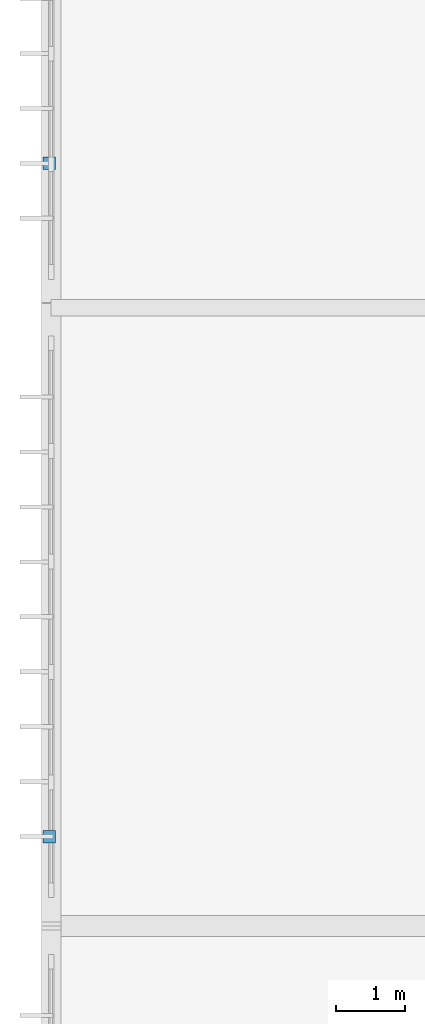
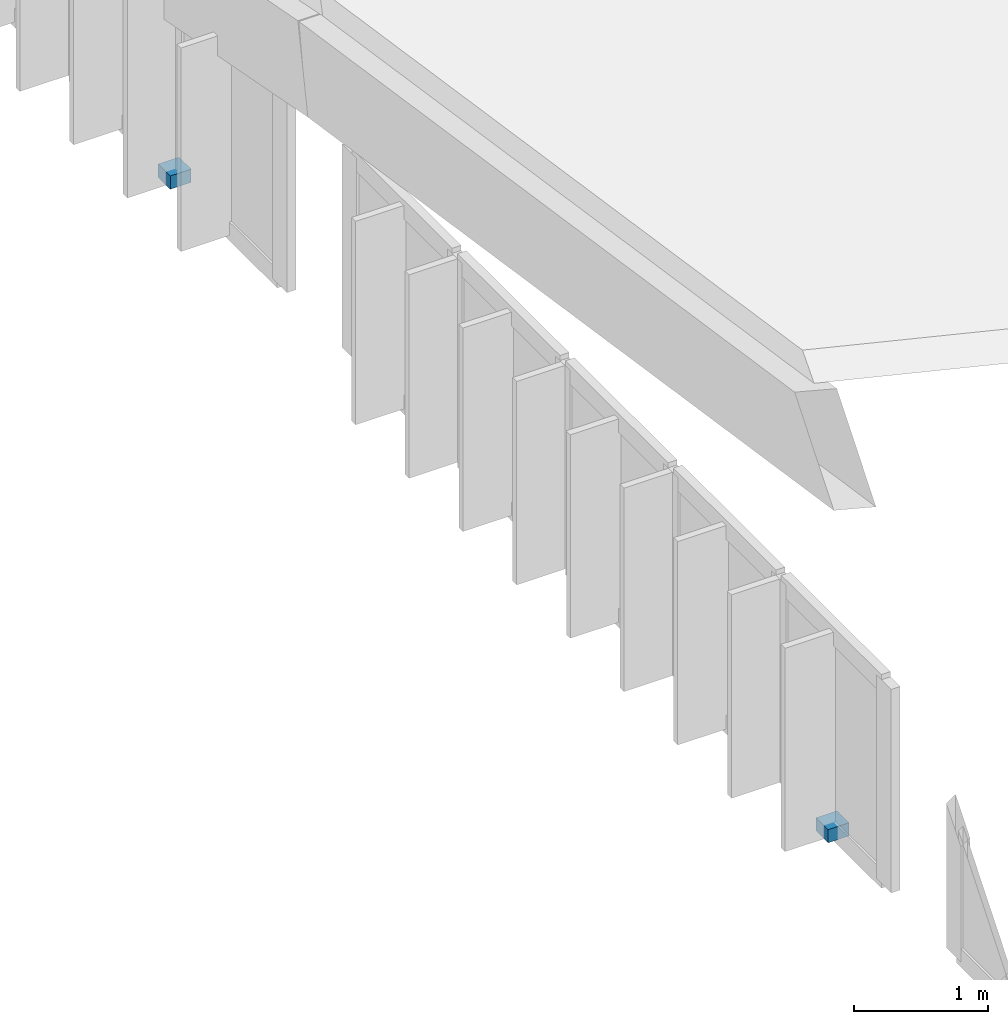
# One storey, part 79 of 93: 2 discrete accessories.
"""IFC4 building model written with IfcOpenShell, lengths in metres."""

from ifc_helpers import new_model, si_unit, direction, frame, origin, origin_2d, place, context, subcontext, project, spatial, rectangle, extrude, material, type_object, element, save


model = new_model("IFC4")

# Units and contexts
model_context = context("Model", 3, precision=1e-05, world=origin(), true_north=direction((0.0, 1.0)))
body_context = subcontext(model_context, "Body", "Model", "MODEL_VIEW")
ifc_project = project(units=[si_unit("LENGTHUNIT", "METRE"), si_unit("AREAUNIT", "SQUARE_METRE"), si_unit("VOLUMEUNIT", "CUBIC_METRE"), si_unit("PLANEANGLEUNIT", "RADIAN"), si_unit("MASSUNIT", "GRAM", prefix="KILO")], contexts=[model_context])

# Site, building, storey
site_placement = place(None, origin())
site = spatial("IfcSite", under=ifc_project, at=site_placement, CompositionType="ELEMENT")
building_placement = place(site_placement, origin())
building = spatial("IfcBuilding", under=site, at=building_placement, Name="Vourika Railside Aquatics Centre", CompositionType="ELEMENT")
storey_placement = place(building_placement, frame((0.0, 0.0, 21.89990234375)))
storey = spatial("IfcBuildingStorey", under=building, at=storey_placement, Name="Roof", CompositionType="ELEMENT", Elevation=21.89990234375)

# Discrete accessories
ifc_material = material(Name="Duplex stainless steel EN 1.4462", Category="steel")
discrete_accessory_type = type_object("IfcDiscreteAccessoryType", Name="ACC-BRK-180", PredefinedType="BRACKET", material=ifc_material)
for number, where, z_axis, x_axis, name in (
    (1, (-0.030029296875, 41.300048828125, -6.300048828125), (0.0, 0.0, 1.0), (-1.0, 0.0, 0.0), "Stainless Fin Shoe Bracket BK-031"),
    (2, (-0.030029296875, 51.10009765625, -6.300048828125), (0.0, 0.0, 1.0), (-1.0, 0.0, 0.0), "Stainless Fin Shoe Bracket BK-032"),
):
    element("IfcDiscreteAccessory", number, at=place(storey_placement, frame(where, z_axis=z_axis, x_axis=x_axis)), inside=storey, type_object=discrete_accessory_type, Name=name, PredefinedType="BRACKET", context=body_context, shape_type="SweptSolid", body=[
        extrude(rectangle(XDim=0.179931640625, YDim=0.179931640625, at=origin_2d()), origin(), (0.0, 0.0, 1.0), 0.1201171875),
    ])

save(model, "model.ifc")
